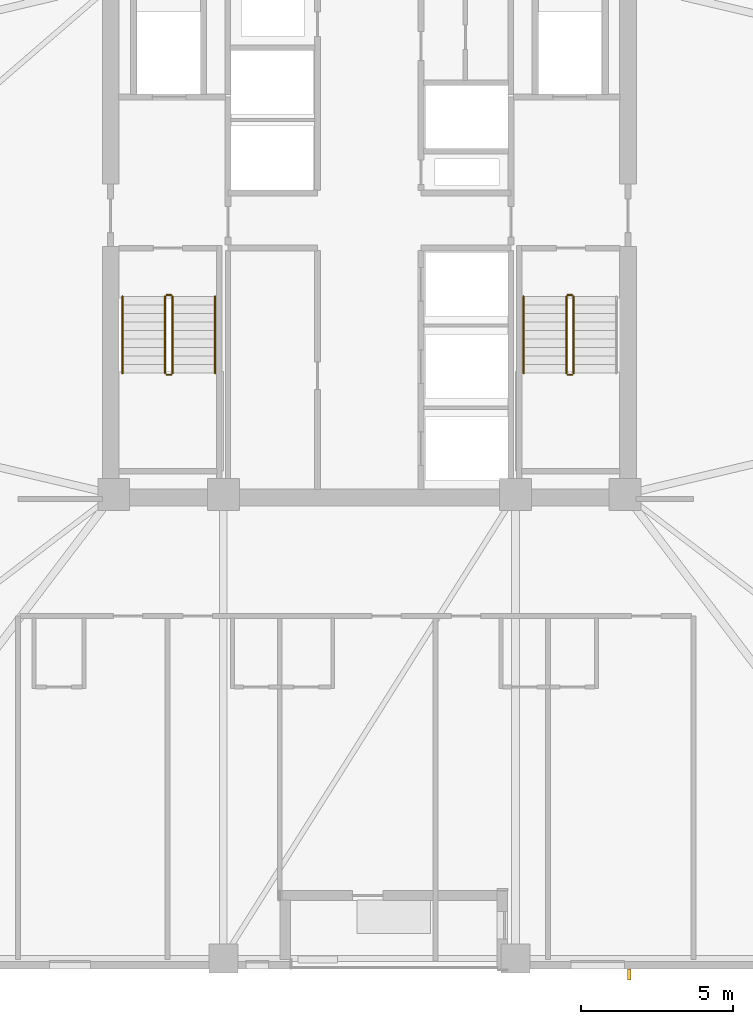
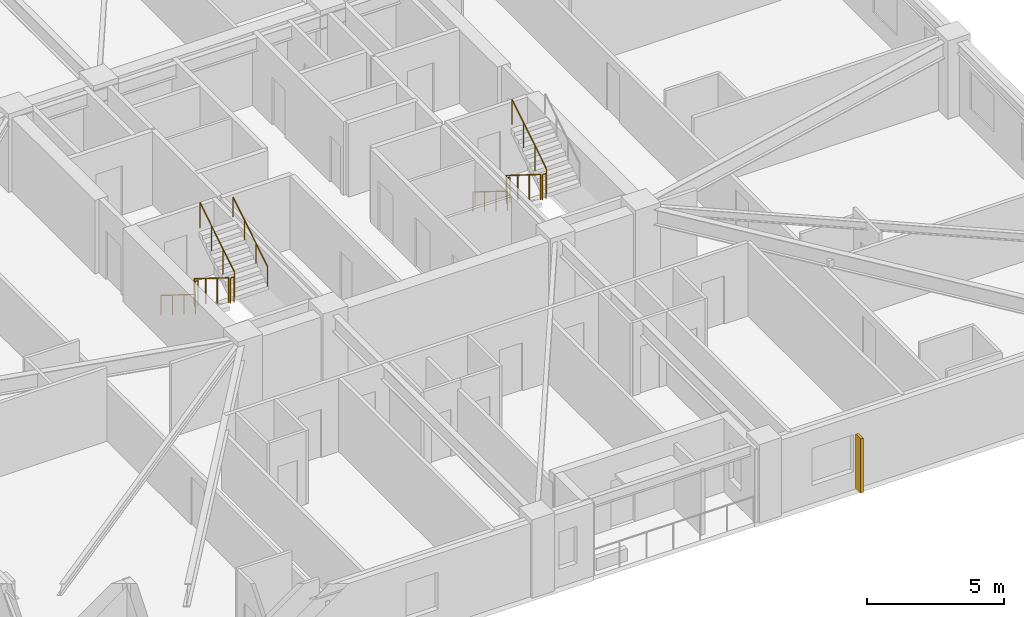
# One storey, part 8 of 11: 11 railings, 1 shading device.
"""IFC4 building model written with IfcOpenShell, lengths in metres."""

import ifcopenshell
import ifcopenshell.guid

model = None  # the IFC model being written
_history = None  # IfcOwnerHistory: only IFC2X3 demands one
_inside = {}  # id of a spatial element -> (the spatial element, [elements in it])
_under = {}  # id of a project, library or spatial element -> (it, [spatial elements below it])
_declared = {}  # id of a project -> (the project, [libraries it declares])
_typed = {}  # id of a type object -> (the type object, [elements of that type])
_made_of = {}  # id of a material, layer set ... -> (it, [elements and type objects made of it])


def new_model(schema):
    """Start an empty IFC model of exactly this schema.

    Asked for "IFC4X3", IfcOpenShell would pick the latest addendum, in which some entities
    have other attributes; the version numbers below select the first issue.
    IFC2X3 requires an IfcOwnerHistory on every rooted entity: one is made here for all.
    """
    global model, _history
    if schema == "IFC4X3":
        model = ifcopenshell.file(schema_version=(4, 3, 0, 0))
    else:
        model = ifcopenshell.file(schema=schema)
    _inside.clear()
    _under.clear()
    _declared.clear()
    _typed.clear()
    _made_of.clear()
    _history = None
    if model.schema == "IFC2X3":
        org = make("IfcOrganization", Name="unknown")
        user = make(
            "IfcPersonAndOrganization",
            ThePerson=make("IfcPerson", FamilyName="unknown"),
            TheOrganization=org,
        )
        app = make(
            "IfcApplication",
            ApplicationDeveloper=org,
            Version="unknown",
            ApplicationFullName="unknown",
            ApplicationIdentifier="unknown",
        )
        _history = make(
            "IfcOwnerHistory",
            OwningUser=user,
            OwningApplication=app,
            ChangeAction="ADDED",
            CreationDate=0,
        )
    return model


def make(cls, **values):
    """One entity of the class cls with the attributes given. An attribute that is None is left unset."""
    return model.create_entity(
        cls, **{name: value for name, value in values.items() if value is not None}
    )


def rooted(cls, **values):
    """An entity with a GlobalId (a new one), such as an element, a storey or a relation."""
    return make(cls, GlobalId=ifcopenshell.guid.new(), OwnerHistory=_history, **values)


def si_unit(unit_type, name, prefix=None):
    """IfcSIUnit, for example si_unit("LENGTHUNIT", "METRE", prefix="MILLI")."""
    return make("IfcSIUnit", UnitType=unit_type, Prefix=prefix, Name=name)


def assignment(units):
    """IfcUnitAssignment: the units of a project."""
    return None if units is None else make("IfcUnitAssignment", Units=units)


def point(xyz):
    """IfcCartesianPoint."""
    return None if xyz is None else make("IfcCartesianPoint", Coordinates=xyz)


def direction(xyz):
    """IfcDirection."""
    return None if xyz is None else make("IfcDirection", DirectionRatios=xyz)


def frame(location, z_axis=None, x_axis=None):
    """IfcAxis2Placement3D, a coordinate frame: its origin and axes. An axis left out is left unset."""
    return make(
        "IfcAxis2Placement3D",
        Location=point(location),
        Axis=direction(z_axis),
        RefDirection=direction(x_axis),
    )


def frame_2d(location, x_axis=None):
    """IfcAxis2Placement2D, a coordinate frame in the plane: its origin and x axis."""
    return make(
        "IfcAxis2Placement2D", Location=point(location), RefDirection=direction(x_axis)
    )


def origin():
    """The frame at (0, 0, 0) with its axes left unset."""
    return frame((0.0, 0.0, 0.0))


def origin_2d():
    """The frame at (0, 0) in the plane with its x axis left unset."""
    return frame_2d((0.0, 0.0))


def place(relative_to, where):
    """IfcLocalPlacement: puts the frame where relative to a parent placement (None: the world)."""
    return make(
        "IfcLocalPlacement", PlacementRelTo=relative_to, RelativePlacement=where
    )


def context(
    kind, dimensions, precision=None, world=None, true_north=None, identifier=None
):
    """IfcGeometricRepresentationContext, for example the 3D "Model" context."""
    return make(
        "IfcGeometricRepresentationContext",
        ContextIdentifier=identifier,
        ContextType=kind,
        CoordinateSpaceDimension=dimensions,
        Precision=precision,
        WorldCoordinateSystem=world,
        TrueNorth=true_north,
    )


def subcontext(parent, identifier, kind, view, scale=None):
    """IfcGeometricRepresentationSubContext, for example "Body" below "Model"."""
    return make(
        "IfcGeometricRepresentationSubContext",
        ContextIdentifier=identifier,
        ContextType=kind,
        ParentContext=parent,
        TargetScale=scale,
        TargetView=view,
    )


def project(units=None, contexts=None):
    """IfcProject with its units and contexts."""
    return rooted(
        "IfcProject",
        Name="project",
        RepresentationContexts=contexts,
        UnitsInContext=assignment(units),
    )


def spatial(cls, under=None, at=None, **own):
    """A site, building, storey or space (cls), placed at a placement, below another one or the project."""
    s = rooted(cls, ObjectPlacement=at, **own)
    if under is not None:
        _under.setdefault(under.id(), (under, []))[1].append(s)
    return s


def profile(cls, at=None, kind="AREA", **sizes):
    """A parametric profile (cls). Its sizes go by their IFC names, for example OverallWidth=200.0."""
    return make(cls, ProfileType=kind, Position=at, **sizes)


def rectangle(**sizes):
    """IfcRectangleProfileDef."""
    return profile("IfcRectangleProfileDef", **sizes)


def circle(**sizes):
    """IfcCircleProfileDef."""
    return profile("IfcCircleProfileDef", **sizes)


def extrude(swept, where, along, depth):
    """IfcExtrudedAreaSolid: the profile swept, set in the frame where, extruded along a direction by depth."""
    return make(
        "IfcExtrudedAreaSolid",
        SweptArea=swept,
        Position=where,
        ExtrudedDirection=direction(along),
        Depth=depth,
    )


def shape(context_of_items, identifier, shape_type, items):
    """IfcShapeRepresentation: the items that make up one representation, for example the "Body"."""
    return make(
        "IfcShapeRepresentation",
        ContextOfItems=context_of_items,
        RepresentationIdentifier=identifier,
        RepresentationType=shape_type,
        Items=items,
    )


def material(Name=None, Category=None):
    """IfcMaterial."""
    return make("IfcMaterial", Name=Name, Category=Category)


def made_of(thing, what):
    """Note that an element or type object is made of a material, layer set ...; save() writes the relation."""
    if what is not None:
        _made_of.setdefault(what.id(), (what, []))[1].append(thing)
    return thing


def type_object(cls, material=None, **own):
    """A type object (cls), such as IfcWallType, which elements share."""
    return made_of(rooted(cls, **own), material)


def element(
    cls,
    number,
    at=None,
    inside=None,
    cuts=None,
    type_object=None,
    material=None,
    context=None,
    identifier="Body",
    shape_type=None,
    held_by="IfcProductDefinitionShape",
    body=None,
    shapes=None,
    **own,
):
    """One element of the class cls, such as IfcWall. Its Tag is "e" and its number.

    at: its placement. inside: the storey or other place that contains it. cuts: it is an
    opening in that element (IfcRelVoidsElement). A single representation is given by context,
    identifier, shape_type and body (its items); several are given by shapes. held_by: the class
    of the entity that holds the representations. save() writes the other relations.
    """
    e = rooted(cls, Tag="e%d" % number, ObjectPlacement=at, **own)
    if body is not None:
        shapes = [shape(context, identifier, shape_type, body)]
    if shapes is not None:
        e.Representation = make(held_by, Representations=shapes)
    if inside is not None:
        _inside.setdefault(inside.id(), (inside, []))[1].append(e)
    if cuts is not None:
        rooted(
            "IfcRelVoidsElement", RelatingBuildingElement=cuts, RelatedOpeningElement=e
        )
    if type_object is not None:
        _typed.setdefault(type_object.id(), (type_object, []))[1].append(e)
    return made_of(e, material)


def aggregate(whole, parts):
    """IfcRelAggregates: a whole, such as a stair, and the parts it consists of."""
    return rooted("IfcRelAggregates", RelatingObject=whole, RelatedObjects=parts)


def save(model, path):
    """Write the relations noted so far, then the file.

    IfcRelAggregates (storeys below a building ...), IfcRelContainedInSpatialStructure (elements
    in a storey), IfcRelDefinesByType, IfcRelAssociatesMaterial and IfcRelDeclares: one each for
    every whole, place, type object, material and project.
    """
    for whole, parts in _under.values():
        aggregate(whole, parts)
    for where, things in _inside.values():
        rooted(
            "IfcRelContainedInSpatialStructure",
            RelatedElements=things,
            RelatingStructure=where,
        )
    for kind, things in _typed.values():
        rooted("IfcRelDefinesByType", RelatedObjects=things, RelatingType=kind)
    for what, things in _made_of.values():
        rooted("IfcRelAssociatesMaterial", RelatedObjects=things, RelatingMaterial=what)
    for by, libraries in _declared.values():
        rooted("IfcRelDeclares", RelatingContext=by, RelatedDefinitions=libraries)
    model.write(path)


model = new_model("IFC4")

# Units and contexts
model_context = context("Model", 3, precision=1e-05, world=origin(), true_north=direction((0.0, 1.0)))
body_context = subcontext(model_context, "Body", "Model", "MODEL_VIEW")
ifc_project = project(units=[si_unit("LENGTHUNIT", "METRE"), si_unit("AREAUNIT", "SQUARE_METRE"), si_unit("VOLUMEUNIT", "CUBIC_METRE"), si_unit("PLANEANGLEUNIT", "RADIAN"), si_unit("MASSUNIT", "GRAM", prefix="KILO")], contexts=[model_context])

# Site, building, storey
site_placement = place(None, origin())
site = spatial("IfcSite", under=ifc_project, at=site_placement, CompositionType="ELEMENT")
building_placement = place(site_placement, origin())
building = spatial("IfcBuilding", under=site, at=building_placement, Name="Cairnveth Concourse Tower", CompositionType="ELEMENT")
storey_placement = place(building_placement, frame((0.0, 0.0, 158.5)))
storey = spatial("IfcBuildingStorey", under=building, at=storey_placement, Name="L43", CompositionType="ELEMENT", Elevation=158.5)

# Shading device
ifc_material_1 = material(Name="Architectural Bronze Anodised Aluminium 6063-T6", Category="aluminium")
shading_device_type = type_object("IfcShadingDeviceType", Name="GOTHIC BRONZE VERTICAL LANCET FIN", PredefinedType="USERDEFINED", material=ifc_material_1)
shading_device_placement = place(storey_placement, frame((60.533203125, 14.824951171875, 0.030029296875), z_axis=(0.0, 0.0, 1.0), x_axis=(1.0, 0.0, 0.0)))
element("IfcShadingDevice", 1, at=shading_device_placement, inside=storey, type_object=shading_device_type, Name="Gothic Bronze Vertical Fin L43-12-3", ObjectType="VERTICAL FIN", PredefinedType="USERDEFINED", context=body_context, shape_type="SweptSolid", body=[
    extrude(rectangle(XDim=0.1201171875, YDim=0.360107421875, at=origin_2d()), origin(), (0.0, 0.0, 1.0), 2.419921875),
])

# Railings
ifc_material_2 = material(Name="Steel Grade 350", Category="steel")
railing_type_1 = type_object("IfcRailingType", Name="STAIR GUARDRAIL 1150", PredefinedType="GUARDRAIL", material=ifc_material_2)
railing_1_placement = place(storey_placement, frame((45.2900390625, 37.10009765625, 0.175048828125)))
element("IfcRailing", 2, at=railing_1_placement, inside=storey, type_object=railing_type_1, Name="L43 ST-1 stair guard 1", PredefinedType="GUARDRAIL", context=body_context, shape_type="SweptSolid", body=[
    extrude(circle(Radius=0.02392578125, at=origin_2d()), frame((0.0, 0.0, 1.1259765625), z_axis=(0.0, -0.848007534815, 0.529984170421), x_axis=(1.0, 0.0, 0.0)), (0.0, 0.0, 1.0), 2.9716796875),
    extrude(circle(Radius=0.02099609375, at=origin_2d()), origin(), (0.0, 0.0, 1.0), 1.101806640625),
    extrude(circle(Radius=0.02099609375, at=origin_2d()), frame((0.0, -0.840087890625, 0.52490234375)), (0.0, 0.0, 1.0), 1.101806640625),
    extrude(circle(Radius=0.02099609375, at=origin_2d()), frame((0.0, -1.679931640625, 1.050048828125)), (0.0, 0.0, 1.0), 1.101806640625),
    extrude(circle(Radius=0.02099609375, at=origin_2d()), frame((0.0, -2.52001953125, 1.574951171875)), (0.0, 0.0, 1.0), 1.101806640625),
])
railing_2_placement = place(storey_placement, frame((45.340087890625, 34.530029296875, 1.75)))
element("IfcRailing", 3, at=railing_2_placement, inside=storey, type_object=railing_type_1, Name="L43 ST-1 stair guard 2", PredefinedType="GUARDRAIL", context=body_context, shape_type="SweptSolid", body=[
    extrude(circle(Radius=0.02392578125, at=origin_2d()), frame((0.0, 0.0, 1.1259765625), z_axis=(1.0, 0.0, 0.0), x_axis=(0.0, 1.0, 0.0)), (0.0, 0.0, 1.0), 0.139892578125),
    extrude(circle(Radius=0.02099609375, at=origin_2d()), origin(), (0.0, 0.0, 1.0), 1.101806640625),
    extrude(circle(Radius=0.02099609375, at=origin_2d()), frame((0.139892578125, 0.0, 0.0)), (0.0, 0.0, 1.0), 1.101806640625),
])
railing_3_placement = place(storey_placement, frame((45.530029296875, 34.580078125, 1.925048828125)))
element("IfcRailing", 4, at=railing_3_placement, inside=storey, type_object=railing_type_1, Name="L43 ST-1 stair guard 3", PredefinedType="GUARDRAIL", context=body_context, shape_type="SweptSolid", body=[
    extrude(circle(Radius=0.02392578125, at=origin_2d()), frame((0.0, 0.0, 1.1259765625), z_axis=(0.0, 0.848007534815, 0.529984170421), x_axis=(-1.0, 0.0, 0.0)), (0.0, 0.0, 1.0), 2.9716796875),
    extrude(circle(Radius=0.02099609375, at=origin_2d()), origin(), (0.0, 0.0, 1.0), 1.101806640625),
    extrude(circle(Radius=0.02099609375, at=origin_2d()), frame((0.0, 0.840087890625, 0.52490234375)), (0.0, 0.0, 1.0), 1.101806640625),
    extrude(circle(Radius=0.02099609375, at=origin_2d()), frame((0.0, 1.679931640625, 1.050048828125)), (0.0, 0.0, 1.0), 1.101806640625),
    extrude(circle(Radius=0.02099609375, at=origin_2d()), frame((0.0, 2.52001953125, 1.574951171875)), (0.0, 0.0, 1.0), 1.101806640625),
])
railing_4_placement = place(storey_placement, frame((45.340087890625, 37.14990234375, 0.0)))
element("IfcRailing", 5, at=railing_4_placement, inside=storey, type_object=railing_type_1, Name="L43 ST-1 stair guard 4", PredefinedType="GUARDRAIL", context=body_context, shape_type="SweptSolid", body=[
    extrude(circle(Radius=0.02392578125, at=origin_2d()), frame((0.0, 0.0, 1.1259765625), z_axis=(1.0, 0.0, 0.0), x_axis=(0.0, 1.0, 0.0)), (0.0, 0.0, 1.0), 0.139892578125),
    extrude(circle(Radius=0.02099609375, at=origin_2d()), origin(), (0.0, 0.0, 1.0), 1.101806640625),
    extrude(circle(Radius=0.02099609375, at=origin_2d()), frame((0.139892578125, 0.0, 0.0)), (0.0, 0.0, 1.0), 1.101806640625),
])
railing_5_placement = place(storey_placement, frame((58.469970703125, 37.10009765625, 0.175048828125)))
element("IfcRailing", 6, at=railing_5_placement, inside=storey, type_object=railing_type_1, Name="L43 ST-2 stair guard 1", PredefinedType="GUARDRAIL", context=body_context, shape_type="SweptSolid", body=[
    extrude(circle(Radius=0.02392578125, at=origin_2d()), frame((0.0, 0.0, 1.1259765625), z_axis=(0.0, -0.848007534815, 0.529984170421), x_axis=(1.0, 0.0, 0.0)), (0.0, 0.0, 1.0), 2.9716796875),
    extrude(circle(Radius=0.02099609375, at=origin_2d()), origin(), (0.0, 0.0, 1.0), 1.101806640625),
    extrude(circle(Radius=0.02099609375, at=origin_2d()), frame((0.0, -0.840087890625, 0.52490234375)), (0.0, 0.0, 1.0), 1.101806640625),
    extrude(circle(Radius=0.02099609375, at=origin_2d()), frame((0.0, -1.679931640625, 1.050048828125)), (0.0, 0.0, 1.0), 1.101806640625),
    extrude(circle(Radius=0.02099609375, at=origin_2d()), frame((0.0, -2.52001953125, 1.574951171875)), (0.0, 0.0, 1.0), 1.101806640625),
])
railing_6_placement = place(storey_placement, frame((58.52001953125, 34.530029296875, 1.75)))
element("IfcRailing", 7, at=railing_6_placement, inside=storey, type_object=railing_type_1, Name="L43 ST-2 stair guard 2", PredefinedType="GUARDRAIL", context=body_context, shape_type="SweptSolid", body=[
    extrude(circle(Radius=0.02392578125, at=origin_2d()), frame((0.0, 0.0, 1.1259765625), z_axis=(1.0, 0.0, 0.0), x_axis=(0.0, 1.0, 0.0)), (0.0, 0.0, 1.0), 0.139892578125),
    extrude(circle(Radius=0.02099609375, at=origin_2d()), origin(), (0.0, 0.0, 1.0), 1.101806640625),
    extrude(circle(Radius=0.02099609375, at=origin_2d()), frame((0.139892578125, 0.0, 0.0)), (0.0, 0.0, 1.0), 1.101806640625),
])
railing_7_placement = place(storey_placement, frame((58.7099609375, 34.580078125, 1.925048828125)))
element("IfcRailing", 8, at=railing_7_placement, inside=storey, type_object=railing_type_1, Name="L43 ST-2 stair guard 3", PredefinedType="GUARDRAIL", context=body_context, shape_type="SweptSolid", body=[
    extrude(circle(Radius=0.02392578125, at=origin_2d()), frame((0.0, 0.0, 1.1259765625), z_axis=(0.0, 0.848007534815, 0.529984170421), x_axis=(-1.0, 0.0, 0.0)), (0.0, 0.0, 1.0), 2.9716796875),
    extrude(circle(Radius=0.02099609375, at=origin_2d()), origin(), (0.0, 0.0, 1.0), 1.101806640625),
    extrude(circle(Radius=0.02099609375, at=origin_2d()), frame((0.0, 0.840087890625, 0.52490234375)), (0.0, 0.0, 1.0), 1.101806640625),
    extrude(circle(Radius=0.02099609375, at=origin_2d()), frame((0.0, 1.679931640625, 1.050048828125)), (0.0, 0.0, 1.0), 1.101806640625),
    extrude(circle(Radius=0.02099609375, at=origin_2d()), frame((0.0, 2.52001953125, 1.574951171875)), (0.0, 0.0, 1.0), 1.101806640625),
])
railing_8_placement = place(storey_placement, frame((58.52001953125, 37.14990234375, 0.0)))
element("IfcRailing", 9, at=railing_8_placement, inside=storey, type_object=railing_type_1, Name="L43 ST-2 stair guard 4", PredefinedType="GUARDRAIL", context=body_context, shape_type="SweptSolid", body=[
    extrude(circle(Radius=0.02392578125, at=origin_2d()), frame((0.0, 0.0, 1.1259765625), z_axis=(1.0, 0.0, 0.0), x_axis=(0.0, 1.0, 0.0)), (0.0, 0.0, 1.0), 0.139892578125),
    extrude(circle(Radius=0.02099609375, at=origin_2d()), origin(), (0.0, 0.0, 1.0), 1.101806640625),
    extrude(circle(Radius=0.02099609375, at=origin_2d()), frame((0.139892578125, 0.0, 0.0)), (0.0, 0.0, 1.0), 1.101806640625),
])
railing_type_2 = type_object("IfcRailingType", Name="STAIR WALL HANDRAIL 900", PredefinedType="HANDRAIL", material=ifc_material_2)
railing_9_placement = place(storey_placement, frame((43.889892578125, 37.10009765625, 0.175048828125)))
element("IfcRailing", 10, at=railing_9_placement, inside=storey, type_object=railing_type_2, Name="L43 ST-1 stair handrail 1", PredefinedType="HANDRAIL", context=body_context, shape_type="SweptSolid", body=[
    extrude(circle(Radius=0.02392578125, at=origin_2d()), frame((0.0, 0.0, 0.8759765625), z_axis=(0.0, -0.848007534815, 0.529984170421), x_axis=(1.0, 0.0, 0.0)), (0.0, 0.0, 1.0), 2.9716796875),
    extrude(circle(Radius=0.02099609375, at=origin_2d()), origin(), (0.0, 0.0, 1.0), 0.851806640625),
    extrude(circle(Radius=0.02099609375, at=origin_2d()), frame((0.0, -0.840087890625, 0.52490234375)), (0.0, 0.0, 1.0), 0.851806640625),
    extrude(circle(Radius=0.02099609375, at=origin_2d()), frame((0.0, -1.679931640625, 1.050048828125)), (0.0, 0.0, 1.0), 0.851806640625),
    extrude(circle(Radius=0.02099609375, at=origin_2d()), frame((0.0, -2.52001953125, 1.574951171875)), (0.0, 0.0, 1.0), 0.851806640625),
])
railing_10_placement = place(storey_placement, frame((46.929931640625, 34.580078125, 1.925048828125)))
element("IfcRailing", 11, at=railing_10_placement, inside=storey, type_object=railing_type_2, Name="L43 ST-1 stair handrail 2", PredefinedType="HANDRAIL", context=body_context, shape_type="SweptSolid", body=[
    extrude(circle(Radius=0.02392578125, at=origin_2d()), frame((0.0, 0.0, 0.8759765625), z_axis=(0.0, 0.848007534815, 0.529984170421), x_axis=(-1.0, 0.0, 0.0)), (0.0, 0.0, 1.0), 2.9716796875),
    extrude(circle(Radius=0.02099609375, at=origin_2d()), origin(), (0.0, 0.0, 1.0), 0.851806640625),
    extrude(circle(Radius=0.02099609375, at=origin_2d()), frame((0.0, 0.840087890625, 0.52490234375)), (0.0, 0.0, 1.0), 0.851806640625),
    extrude(circle(Radius=0.02099609375, at=origin_2d()), frame((0.0, 1.679931640625, 1.050048828125)), (0.0, 0.0, 1.0), 0.851806640625),
    extrude(circle(Radius=0.02099609375, at=origin_2d()), frame((0.0, 2.52001953125, 1.574951171875)), (0.0, 0.0, 1.0), 0.851806640625),
])
railing_11_placement = place(storey_placement, frame((57.070068359375, 37.10009765625, 0.175048828125)))
element("IfcRailing", 12, at=railing_11_placement, inside=storey, type_object=railing_type_2, Name="L43 ST-2 stair handrail 1", PredefinedType="HANDRAIL", context=body_context, shape_type="SweptSolid", body=[
    extrude(circle(Radius=0.02392578125, at=origin_2d()), frame((0.0, 0.0, 0.8759765625), z_axis=(0.0, -0.848007534815, 0.529984170421), x_axis=(1.0, 0.0, 0.0)), (0.0, 0.0, 1.0), 2.9716796875),
    extrude(circle(Radius=0.02099609375, at=origin_2d()), origin(), (0.0, 0.0, 1.0), 0.851806640625),
    extrude(circle(Radius=0.02099609375, at=origin_2d()), frame((0.0, -0.840087890625, 0.52490234375)), (0.0, 0.0, 1.0), 0.851806640625),
    extrude(circle(Radius=0.02099609375, at=origin_2d()), frame((0.0, -1.679931640625, 1.050048828125)), (0.0, 0.0, 1.0), 0.851806640625),
    extrude(circle(Radius=0.02099609375, at=origin_2d()), frame((0.0, -2.52001953125, 1.574951171875)), (0.0, 0.0, 1.0), 0.851806640625),
])

save(model, "model.ifc")
